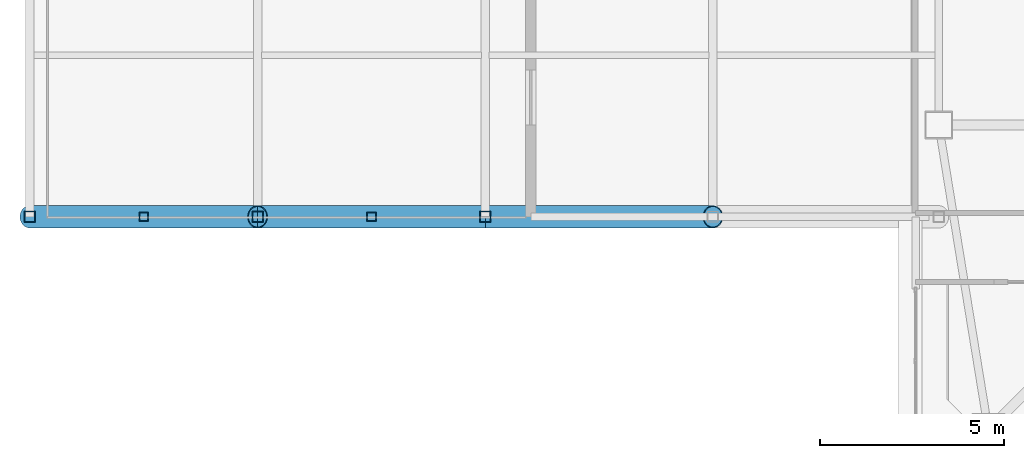
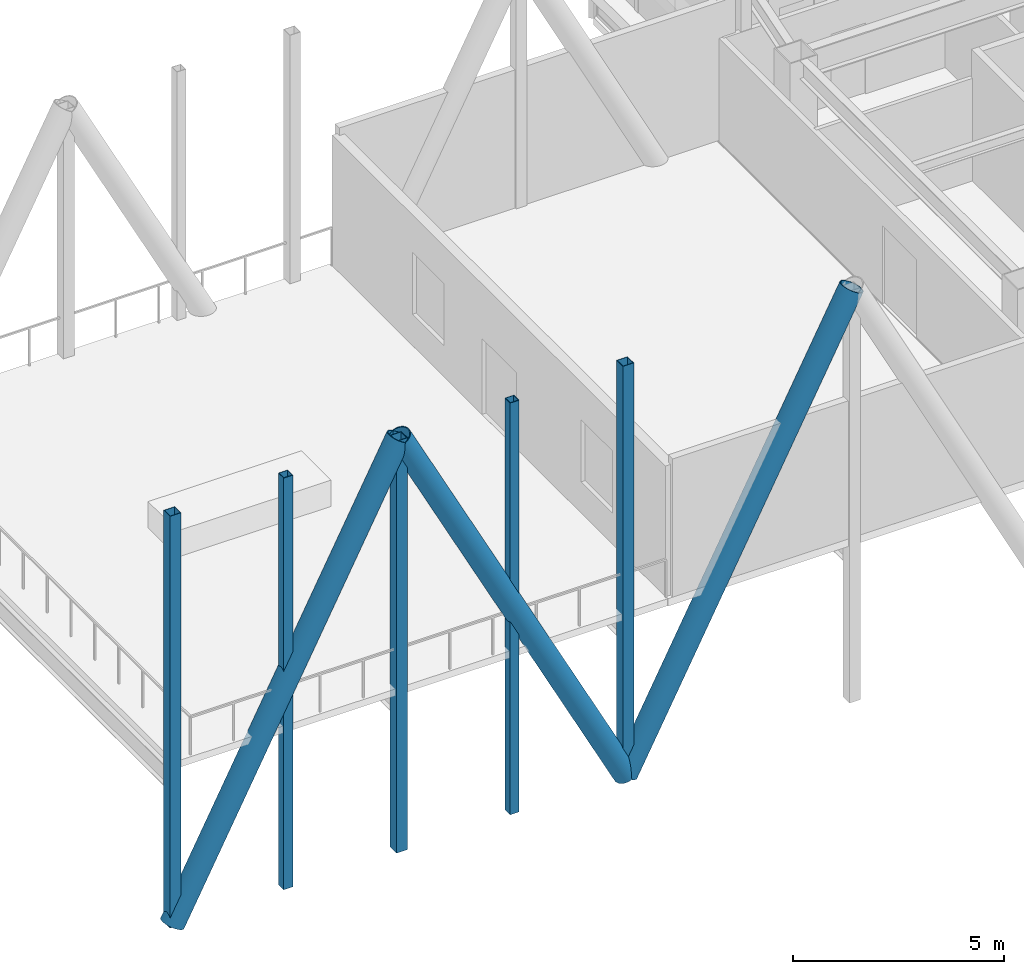
# One storey, part 3 of 53: 8 members.
"""IFC4 building model written with IfcOpenShell, lengths in metres."""

from ifc_helpers import new_model, si_unit, direction, frame, origin, origin_2d, place, context, subcontext, project, spatial, hollow_rectangle, hollow_circle, extrude, material, material_profile, profile_set, type_object, element, save


model = new_model("IFC4")

# Units and contexts
model_context = context("Model", 3, precision=1e-05, world=origin(), true_north=direction((0.0, 1.0)))
body_context = subcontext(model_context, "Body", "Model", "MODEL_VIEW")
ifc_project = project(units=[si_unit("LENGTHUNIT", "METRE"), si_unit("AREAUNIT", "SQUARE_METRE"), si_unit("VOLUMEUNIT", "CUBIC_METRE"), si_unit("PLANEANGLEUNIT", "RADIAN"), si_unit("MASSUNIT", "GRAM", prefix="KILO")], contexts=[model_context])

# Site, building, storey
site_placement = place(None, origin())
site = spatial("IfcSite", under=ifc_project, at=site_placement, CompositionType="ELEMENT")
building_placement = place(site_placement, origin())
building = spatial("IfcBuilding", under=site, at=building_placement, Name="Tashvorn Skyway Center", CompositionType="ELEMENT")
storey_placement = place(building_placement, frame((0.0, 0.0, 255.39990234375)))
storey = spatial("IfcBuildingStorey", under=building, at=storey_placement, Name="L69", CompositionType="ELEMENT", Elevation=255.39990234375)

# Members
ifc_material = material(Name="Steel ASTM A572 Grade 50", Category="steel")
ifc_material_profile_1 = material_profile(ifc_material, hollow_circle(Radius=0.304931640625, WallThickness=0.02490234375, at=origin_2d()), Name="CHS610x25")
ifc_profile_set_1 = profile_set([ifc_material_profile_1], Name="Steel ASTM A572 Grade 50")
member_type_1 = type_object("IfcMemberType", Name="MEM-SP-DIA-610", PredefinedType="BRACE", material=ifc_profile_set_1)
for number, where, z_axis, x_axis, name in (
    (1, (2.199951171875, 24.10009765625, -4.725341796875), (0.461445990735, 0.0, 0.88716830288), (0.0, 1.0, 0.0), "Sky-Park Truss 1 Web Diagonal 01"),
    (2, (8.39990234375, 24.10009765625, 7.194580078125), (0.461460292157, 0.0, -0.887160864084), (0.0, 1.0, 0.0), "Sky-Park Truss 1 Web Diagonal 02"),
    (3, (14.60009765625, 24.10009765625, -4.725341796875), (0.461445990735, 0.0, 0.88716830288), (0.0, 1.0, 0.0), "Sky-Park Truss 1 Web Diagonal 03"),
):
    element("IfcMember", number, at=place(storey_placement, frame(where, z_axis=z_axis, x_axis=x_axis)), inside=storey, type_object=member_type_1, Name=name, PredefinedType="BRACE", context=body_context, shape_type="SweptSolid", body=[
        extrude(hollow_circle(Radius=0.304931640625, WallThickness=0.02490234375, at=origin_2d()), origin(), (0.0, 0.0, 1.0), 13.43603515625),
    ])
ifc_material_profile_2 = material_profile(ifc_material, hollow_rectangle(XDim=0.25, YDim=0.25, WallThickness=0.012451171875, at=origin_2d()), Name="HSS250x250x12.5")
ifc_profile_set_2 = profile_set([ifc_material_profile_2], Name="Steel ASTM A572 Grade 50")
member_type_2 = type_object("IfcMemberType", Name="MEM-SP-PST-250", PredefinedType="POST", material=ifc_profile_set_2)
for number, where, z_axis, x_axis, name in (
    (4, (5.300048828125, 24.10009765625, -4.725341796875), (0.0, 0.0, 1.0), (1.0, 0.0, 0.0), "Sky-Park Truss 1 Secondary Web Post 1"),
    (5, (11.5, 24.10009765625, -4.725341796875), (0.0, 0.0, 1.0), (1.0, 0.0, 0.0), "Sky-Park Truss 1 Secondary Web Post 2"),
):
    element("IfcMember", number, at=place(storey_placement, frame(where, z_axis=z_axis, x_axis=x_axis)), inside=storey, type_object=member_type_2, Name=name, PredefinedType="POST", context=body_context, shape_type="SweptSolid", body=[
        extrude(hollow_rectangle(XDim=0.25, YDim=0.25, WallThickness=0.012451171875, at=origin_2d()), origin(), (0.0, 0.0, 1.0), 11.919921875),
    ])
ifc_material_profile_3 = material_profile(ifc_material, hollow_rectangle(XDim=0.300048828125, YDim=0.300048828125, WallThickness=0.012451171875, at=origin_2d()), Name="HSS300x300x12.5")
ifc_profile_set_3 = profile_set([ifc_material_profile_3], Name="Steel ASTM A572 Grade 50")
member_type_3 = type_object("IfcMemberType", Name="MEM-SP-PST-300", PredefinedType="POST", material=ifc_profile_set_3)
for number, where, z_axis, x_axis, name in (
    (6, (2.199951171875, 24.10009765625, -4.725341796875), (0.0, 0.0, 1.0), (1.0, 0.0, 0.0), "Sky-Park Truss 1 Vertical Post 01"),
    (7, (8.39990234375, 24.10009765625, -4.725341796875), (0.0, 0.0, 1.0), (1.0, 0.0, 0.0), "Sky-Park Truss 1 Vertical Post 02"),
    (8, (14.60009765625, 24.10009765625, -4.725341796875), (0.0, 0.0, 1.0), (1.0, 0.0, 0.0), "Sky-Park Truss 1 Vertical Post 03"),
):
    element("IfcMember", number, at=place(storey_placement, frame(where, z_axis=z_axis, x_axis=x_axis)), inside=storey, type_object=member_type_3, Name=name, PredefinedType="POST", context=body_context, shape_type="SweptSolid", body=[
        extrude(hollow_rectangle(XDim=0.300048828125, YDim=0.300048828125, WallThickness=0.012451171875, at=origin_2d()), origin(), (0.0, 0.0, 1.0), 11.919921875),
    ])

save(model, "model.ifc")
